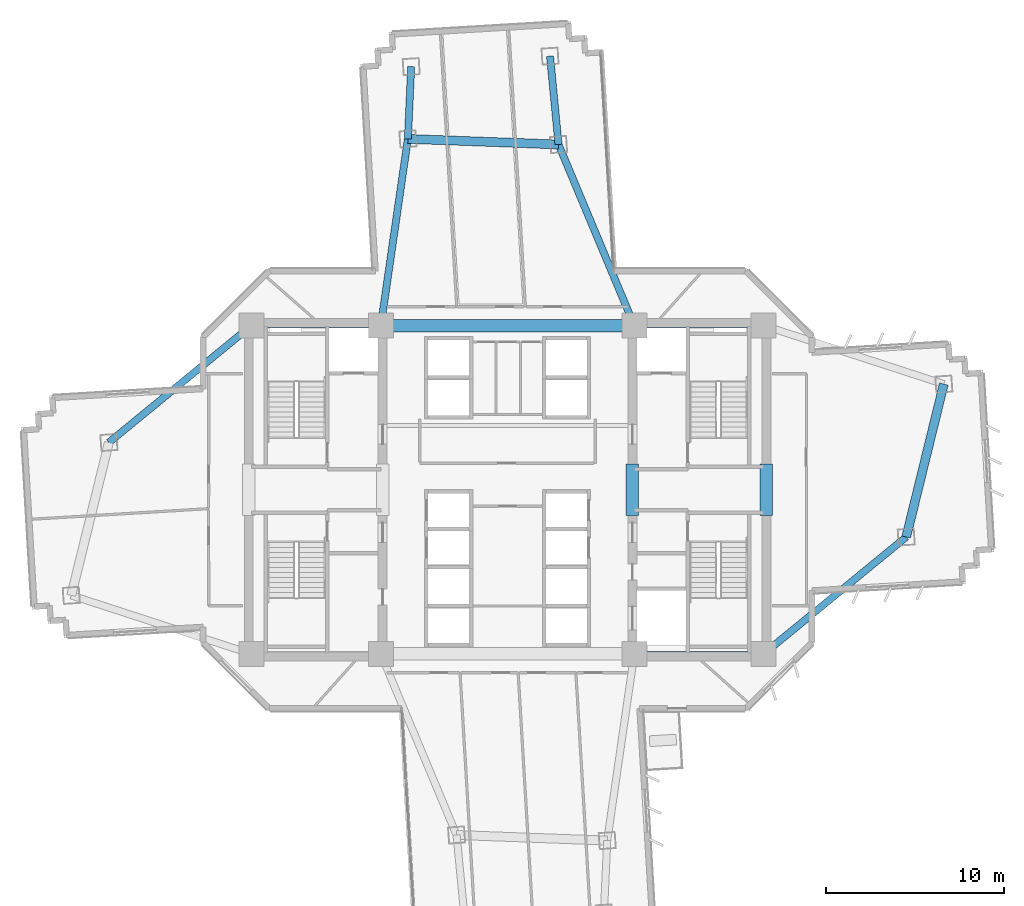
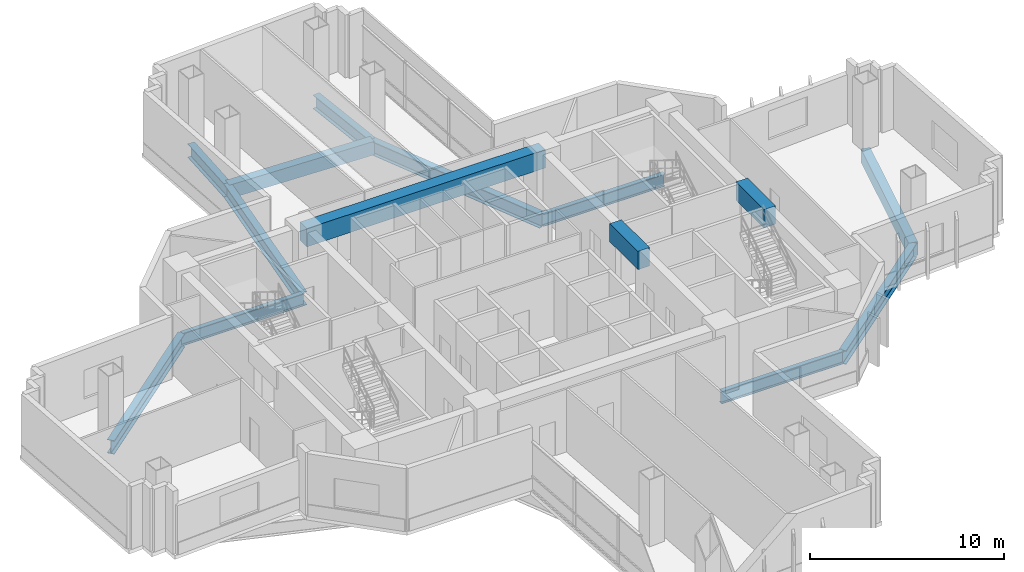
# One storey, part 3 of 15: 14 beams.
"""IFC4 building model written with IfcOpenShell, lengths in metres."""

from ifc_helpers import new_model, si_unit, direction, frame, origin, origin_2d, place, context, subcontext, project, spatial, rectangle, i_section, extrude, source, transform, mapped, material, material_profile, profile_set, type_object, element, save


model = new_model("IFC4")

# Units and contexts
model_context = context("Model", 3, precision=1e-05, world=origin(), true_north=direction((0.0, 1.0)))
body_context = subcontext(model_context, "Body", "Model", "MODEL_VIEW")
ifc_project = project(units=[si_unit("LENGTHUNIT", "METRE"), si_unit("AREAUNIT", "SQUARE_METRE"), si_unit("VOLUMEUNIT", "CUBIC_METRE"), si_unit("PLANEANGLEUNIT", "RADIAN"), si_unit("MASSUNIT", "GRAM", prefix="KILO")], contexts=[model_context])

# Site, building, storey
site_placement = place(None, origin())
site = spatial("IfcSite", under=ifc_project, at=site_placement, CompositionType="ELEMENT")
building_placement = place(site_placement, origin())
building = spatial("IfcBuilding", under=site, at=building_placement, Name="Zahravan Cultural Tower", CompositionType="ELEMENT")
storey_placement = place(building_placement, frame((0.0, 0.0, 66.89990234375)))
storey = spatial("IfcBuildingStorey", under=building, at=storey_placement, Name="L14", CompositionType="ELEMENT", Elevation=66.89990234375)

# Beams
ifc_material_1 = material(Name="Concrete C50/60", Category="concrete")
ifc_material_profile_1 = material_profile(ifc_material_1, rectangle(XDim=0.699951171875, YDim=1.14990234375, at=origin_2d()), Name="RC700X1150")
ifc_profile_set_1 = profile_set([ifc_material_profile_1], Name="Concrete C50/60")
beam_type_1 = type_object("IfcBeamType", Name="BM-LN-RC700X1150", PredefinedType="LINTEL", material=ifc_profile_set_1)
shared_shape_1 = source(origin(), body_context, "Body", "SweptSolid", [
    extrude(rectangle(XDim=0.699951171875, YDim=1.14990234375, at=origin_2d()), origin(), (0.0, 0.0, 1.0), 14.2001953125),
])
beam_1_placement = place(storey_placement, frame((28.89990234375, 36.199951171875, 3.375), z_axis=(1.0, 0.0, 0.0), x_axis=(0.0, 1.0, 0.0)))
element("IfcBeam", 1, at=beam_1_placement, inside=storey, type_object=beam_type_1, Name="L14 Beam LN-L14-N", PredefinedType="LINTEL", context=body_context, shape_type="MappedRepresentation", body=[
    mapped(shared_shape_1, transform((0.0, 0.0, 0.0), x_axis=(1.0, 0.0, 0.0), y_axis=(0.0, 1.0, 0.0), z_axis=(0.0, 0.0, 1.0), scale=1.0)),
])
shared_shape_2 = source(origin(), body_context, "Body", "SweptSolid", [
    extrude(rectangle(XDim=0.699951171875, YDim=1.14990234375, at=origin_2d()), origin(), (0.0, 0.0, 1.0), 2.89990234375),
])
for number, where, z_axis, x_axis, name in (
    (2, (43.0, 25.550048828125, 3.375), (0.0, 1.0, 0.0), (-1.0, 0.0, 0.0), "L14 Beam LN-L14-PEW"),
    (3, (50.5, 25.550048828125, 3.375), (0.0, 1.0, 0.0), (-1.0, 0.0, 0.0), "L14 Beam LN-L14-PEE"),
):
    element("IfcBeam", number, at=place(storey_placement, frame(where, z_axis=z_axis, x_axis=x_axis)), inside=storey, type_object=beam_type_1, Name=name, PredefinedType="LINTEL", context=body_context, shape_type="MappedRepresentation", body=[
        mapped(shared_shape_2, transform((0.0, 0.0, 0.0), x_axis=(1.0, 0.0, 0.0), y_axis=(0.0, 1.0, 0.0), z_axis=(0.0, 0.0, 1.0), scale=1.0)),
    ])
ifc_material_2 = material(Name="Steel ASTM A992 Grade 50", Category="steel")
ifc_material_profile_2 = material_profile(ifc_material_2, i_section(OverallWidth=0.26611328125, OverallDepth=0.780029296875, WebThickness=0.0166015625, FlangeThickness=0.030029296875, FilletRadius=0.01904296875, at=origin_2d()), Name="W30X148")
ifc_profile_set_2 = profile_set([ifc_material_profile_2], Name="Steel ASTM A992 Grade 50")
beam_type_2 = type_object("IfcBeamType", Name="BM-G-W30X148", PredefinedType="BEAM", material=ifc_profile_set_2)
shared_shape_3 = source(origin(), body_context, "Body", "SweptSolid", [
    extrude(i_section(OverallWidth=0.26611328125, OverallDepth=0.780029296875, WebThickness=0.0166015625, FlangeThickness=0.030029296875, FilletRadius=0.01904296875, at=origin_2d()), origin(), (0.0, 0.0, 1.0), 7.25),
])
for number, where, z_axis, x_axis, name in (
    (4, (21.64990234375, 36.199951171875, -0.639892578125), (1.0, 0.0, 0.0), (0.0, 1.0, 0.0), "L14 Beam BG-L14-02"),
    (5, (43.10009765625, 17.800048828125, -0.639892578125), (1.0, 0.0, 0.0), (0.0, 1.0, 0.0), "L14 Beam BG-L14-04"),
    (6, (43.10009765625, 36.199951171875, -0.639892578125), (1.0, 0.0, 0.0), (0.0, 1.0, 0.0), "L14 Beam BG-L14-05"),
):
    element("IfcBeam", number, at=place(storey_placement, frame(where, z_axis=z_axis, x_axis=x_axis)), inside=storey, type_object=beam_type_2, Name=name, PredefinedType="BEAM", context=body_context, shape_type="MappedRepresentation", body=[
        mapped(shared_shape_3, transform((0.0, 0.0, 0.0), x_axis=(1.0, 0.0, 0.0), y_axis=(0.0, 1.0, 0.0), z_axis=(0.0, 0.0, 1.0), scale=1.0)),
    ])
ifc_material_profile_3 = material_profile(ifc_material_1, rectangle(XDim=0.5, YDim=0.85009765625, at=origin_2d()), Name="RC500X850")
ifc_profile_set_3 = profile_set([ifc_material_profile_3], Name="Concrete C50/60")
beam_type_3 = type_object("IfcBeamType", Name="BM-SP-RC500X850", PredefinedType="SPANDREL", material=ifc_profile_set_3)
shared_shape_4 = source(origin(), body_context, "Body", "SweptSolid", [
    extrude(rectangle(XDim=0.5, YDim=0.85009765625, at=origin_2d()), origin(), (0.0, 0.0, 1.0), 8.4482421875),
])
beam_2_placement = place(storey_placement, frame((38.857421875, 46.346435546875, -0.6748046875), z_axis=(-0.999318826256, 0.036903705643, 0.0), x_axis=(-0.036903705643, -0.999318826256, 0.0)))
element("IfcBeam", 7, at=beam_2_placement, inside=storey, type_object=beam_type_3, Name="L14 Beam SP-L14-21", PredefinedType="SPANDREL", context=body_context, shape_type="MappedRepresentation", body=[
    mapped(shared_shape_4, transform((0.0, 0.0, 0.0), x_axis=(1.0, 0.0, 0.0), y_axis=(0.0, 1.0, 0.0), z_axis=(0.0, 0.0, 1.0), scale=1.0)),
])
shared_shape_5 = source(origin(), body_context, "Body", "SweptSolid", [
    extrude(rectangle(XDim=0.5, YDim=0.85009765625, at=origin_2d()), origin(), (0.0, 0.0, 1.0), 8.8232421875),
])
beam_3_placement = place(storey_placement, frame((58.339111328125, 24.351806640625, -0.6748046875), z_axis=(0.238848860516, 0.971056755206, 0.0), x_axis=(-0.971056755206, 0.238848860516, 0.0)))
element("IfcBeam", 8, at=beam_3_placement, inside=storey, type_object=beam_type_3, Name="L14 Beam SP-L14-20", PredefinedType="SPANDREL", context=body_context, shape_type="MappedRepresentation", body=[
    mapped(shared_shape_5, transform((0.0, 0.0, 0.0), x_axis=(1.0, 0.0, 0.0), y_axis=(0.0, 1.0, 0.0), z_axis=(0.0, 0.0, 1.0), scale=1.0)),
])
ifc_material_profile_4 = material_profile(ifc_material_2, i_section(OverallWidth=0.39990234375, OverallDepth=0.862060546875, WebThickness=0.019775390625, FlangeThickness=0.032470703125, FilletRadius=0.02001953125, at=origin_2d()), Name="W33X221")
ifc_profile_set_4 = profile_set([ifc_material_profile_4], Name="Steel ASTM A992 Grade 50")
beam_type_4 = type_object("IfcBeamType", Name="BM-G-W33X221", PredefinedType="BEAM", material=ifc_profile_set_4)
shared_shape_6 = source(origin(), body_context, "Body", "SweptSolid", [
    extrude(i_section(OverallWidth=0.39990234375, OverallDepth=0.862060546875, WebThickness=0.019775390625, FlangeThickness=0.032470703125, FilletRadius=0.02001953125, at=origin_2d()), origin(), (0.0, 0.0, 1.0), 10.997802734375),
])
beam_4_placement = place(storey_placement, frame((43.10009765625, 36.199951171875, -0.680908203125), z_axis=(-0.385775211449, 0.922592806297, 0.0), x_axis=(-0.922592806297, -0.385775211449, 0.0)))
element("IfcBeam", 9, at=beam_4_placement, inside=storey, type_object=beam_type_4, Name="L14 Beam BG-L14-12", PredefinedType="BEAM", context=body_context, shape_type="MappedRepresentation", body=[
    mapped(shared_shape_6, transform((0.0, 0.0, 0.0), x_axis=(1.0, 0.0, 0.0), y_axis=(0.0, 1.0, 0.0), z_axis=(0.0, 0.0, 1.0), scale=1.0)),
])
shared_shape_7 = source(origin(), body_context, "Body", "SweptSolid", [
    extrude(i_section(OverallWidth=0.39990234375, OverallDepth=0.862060546875, WebThickness=0.019775390625, FlangeThickness=0.032470703125, FilletRadius=0.02001953125, at=origin_2d()), origin(), (0.0, 0.0, 1.0), 10.5673828125),
])
beam_5_placement = place(storey_placement, frame((28.89990234375, 36.199951171875, -0.680908203125), z_axis=(0.143377913539, 0.989668011966, 0.0), x_axis=(-0.989668011966, 0.143377913539, 0.0)))
element("IfcBeam", 10, at=beam_5_placement, inside=storey, type_object=beam_type_4, Name="L14 Beam BG-L14-13", PredefinedType="BEAM", context=body_context, shape_type="MappedRepresentation", body=[
    mapped(shared_shape_7, transform((0.0, 0.0, 0.0), x_axis=(1.0, 0.0, 0.0), y_axis=(0.0, 1.0, 0.0), z_axis=(0.0, 0.0, 1.0), scale=1.0)),
])
shared_shape_8 = source(origin(), body_context, "Body", "SweptSolid", [
    extrude(i_section(OverallWidth=0.39990234375, OverallDepth=0.862060546875, WebThickness=0.019775390625, FlangeThickness=0.032470703125, FilletRadius=0.02001953125, at=origin_2d()), origin(), (0.0, 0.0, 1.0), 10.33203125),
])
for number, where, z_axis, x_axis, name in (
    (11, (50.35009765625, 17.800048828125, -0.680908203125), (0.773231409473, 0.634123952713, 0.0), (-0.634123952713, 0.773231409473, 0.0), "L14 Beam BG-L14-10"),
    (12, (21.64990234375, 36.199951171875, -0.680908203125), (-0.773231409473, -0.634123952713, 0.0), (0.634123952713, -0.773231409473, 0.0), "L14 Beam BG-L14-14"),
):
    element("IfcBeam", number, at=place(storey_placement, frame(where, z_axis=z_axis, x_axis=x_axis)), inside=storey, type_object=beam_type_4, Name=name, PredefinedType="BEAM", context=body_context, shape_type="MappedRepresentation", body=[
        mapped(shared_shape_8, transform((0.0, 0.0, 0.0), x_axis=(1.0, 0.0, 0.0), y_axis=(0.0, 1.0, 0.0), z_axis=(0.0, 0.0, 1.0), scale=1.0)),
    ])
shared_shape_9 = source(origin(), body_context, "Body", "SweptSolid", [
    extrude(i_section(OverallWidth=0.39990234375, OverallDepth=0.862060546875, WebThickness=0.019775390625, FlangeThickness=0.032470703125, FilletRadius=0.02001953125, at=origin_2d()), origin(), (0.0, 0.0, 1.0), 4.973876953125),
])
beam_6_placement = place(storey_placement, frame((38.857421875, 46.346435546875, -0.680908203125), z_axis=(-0.096154779131, 0.995366394073, 0.0), x_axis=(-0.995366394073, -0.096154779131, 0.0)))
element("IfcBeam", 13, at=beam_6_placement, inside=storey, type_object=beam_type_4, Name="L14 Beam BG-L14-15", PredefinedType="BEAM", context=body_context, shape_type="MappedRepresentation", body=[
    mapped(shared_shape_9, transform((0.0, 0.0, 0.0), x_axis=(1.0, 0.0, 0.0), y_axis=(0.0, 1.0, 0.0), z_axis=(0.0, 0.0, 1.0), scale=1.0)),
])
shared_shape_10 = source(origin(), body_context, "Body", "SweptSolid", [
    extrude(i_section(OverallWidth=0.39990234375, OverallDepth=0.862060546875, WebThickness=0.019775390625, FlangeThickness=0.032470703125, FilletRadius=0.02001953125, at=origin_2d()), origin(), (0.0, 0.0, 1.0), 4.0537109375),
])
beam_7_placement = place(storey_placement, frame((30.4150390625, 46.658203125, -0.680908203125), z_axis=(0.045770994677, 0.998951958828, 0.0), x_axis=(-0.998951958828, 0.045770994677, 0.0)))
element("IfcBeam", 14, at=beam_7_placement, inside=storey, type_object=beam_type_4, Name="L14 Beam BG-L14-16", PredefinedType="BEAM", context=body_context, shape_type="MappedRepresentation", body=[
    mapped(shared_shape_10, transform((0.0, 0.0, 0.0), x_axis=(1.0, 0.0, 0.0), y_axis=(0.0, 1.0, 0.0), z_axis=(0.0, 0.0, 1.0), scale=1.0)),
])

save(model, "model.ifc")
